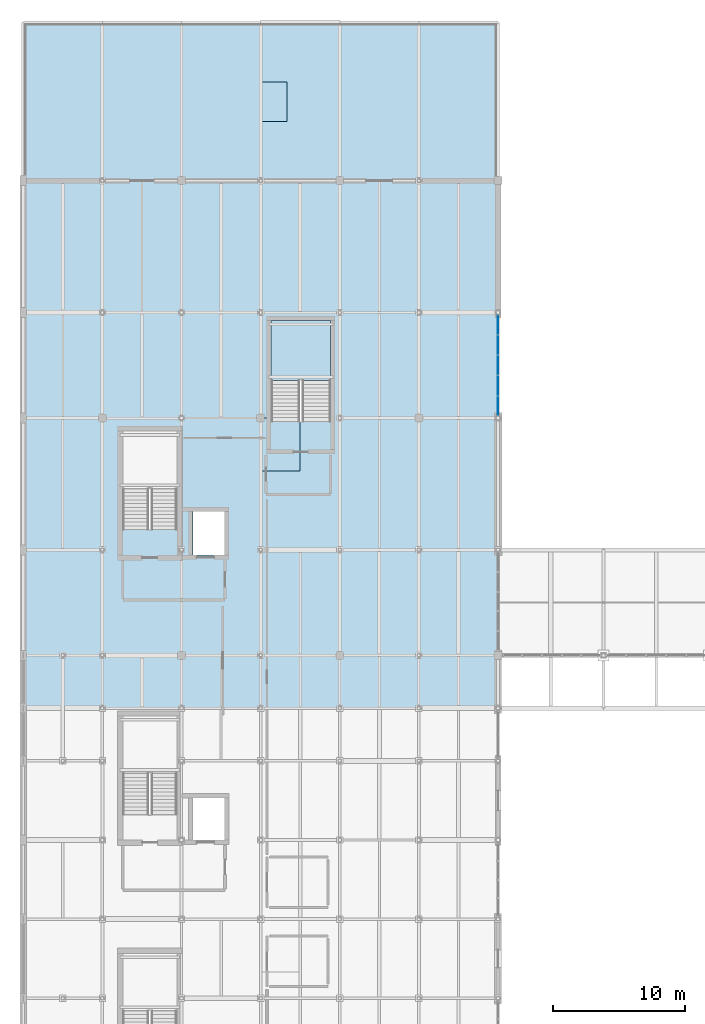
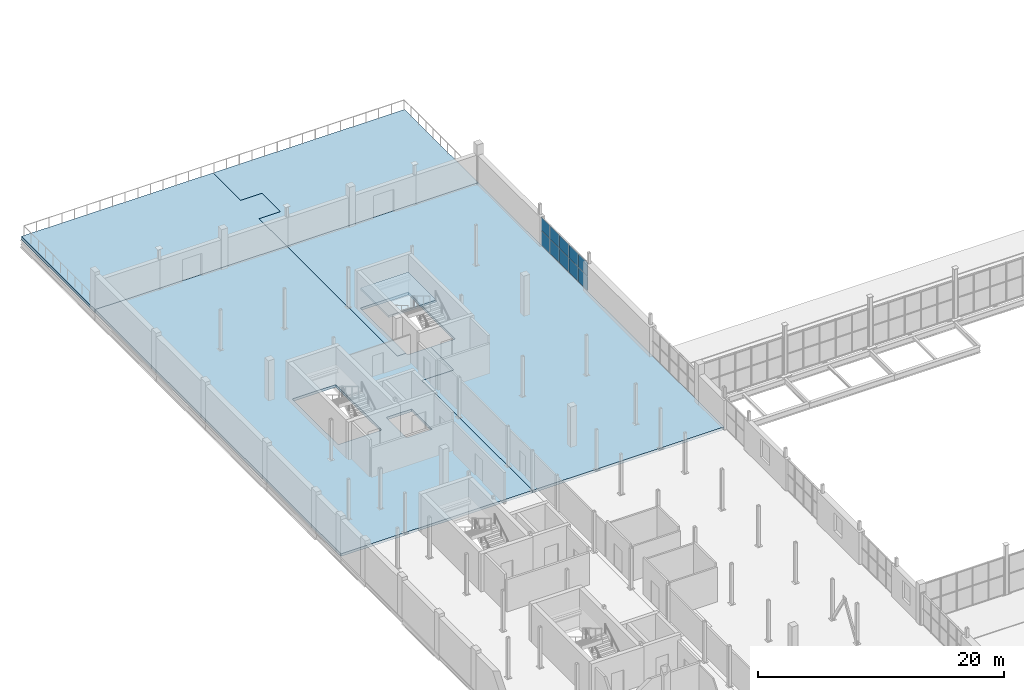
# One storey, part 78 of 96: 10 plates, 5 slabs, 2 elements without a shape of their own.
"""IFC4 building model written with IfcOpenShell, lengths in metres."""

from ifc_helpers import new_model, si_unit, direction, frame, origin, origin_2d, place, context, subcontext, project, spatial, polyline, rectangle, outline, extrude, material, layer, layer_set, type_object, element, aggregate, save


model = new_model("IFC4")

# Units and contexts
model_context = context("Model", 3, precision=1e-05, world=origin(), true_north=direction((0.0, 1.0)))
body_context = subcontext(model_context, "Body", "Model", "MODEL_VIEW")
ifc_project = project(units=[si_unit("LENGTHUNIT", "METRE"), si_unit("AREAUNIT", "SQUARE_METRE"), si_unit("VOLUMEUNIT", "CUBIC_METRE"), si_unit("PLANEANGLEUNIT", "RADIAN"), si_unit("MASSUNIT", "GRAM", prefix="KILO")], contexts=[model_context])

# Site, building, storey
site_placement = place(None, origin())
site = spatial("IfcSite", under=ifc_project, at=site_placement, CompositionType="ELEMENT")
building_placement = place(site_placement, origin())
building = spatial("IfcBuilding", under=site, at=building_placement, Name="Verrall Gate Interchange", CompositionType="ELEMENT")
storey_placement = place(building_placement, frame((0.0, 0.0, 11.39990234375)))
storey = spatial("IfcBuildingStorey", under=building, at=storey_placement, Name="L03", CompositionType="ELEMENT", Elevation=11.39990234375)

# Curtain wall, plates
ifc_material_1 = material(Name="Thermally Broken Anodized Aluminium Curtain Wall Framing", Category="aluminium")
curtain_wall_type = type_object("IfcCurtainWallType", Name="CW-34 Unitized Curtain Wall 7682x2880", PredefinedType="NOTDEFINED", material=ifc_material_1)
curtain_wall_placement = place(storey_placement, origin())
curtain_wall = element("IfcCurtainWall", 1, at=curtain_wall_placement, inside=storey, type_object=curtain_wall_type, Name="L03 Unitized Curtain Wall CW-L03-108", PredefinedType="NOTDEFINED")
ifc_material_2 = material(Name="Triple-Glazed Low-E Argon Insulated Curtain Panel (U=1.45)", Category="glass")
ifc_layer_1 = layer(ifc_material_2, 0.030029296875)
ifc_layer_set_1 = layer_set([ifc_layer_1], Name="Triple-Glazed Low-E Argon Insulated Curtain Panel (U=1.45)")
plate_type = type_object("IfcPlateType", Name="CP-01 Curtain Glazing Panel 30", PredefinedType="CURTAIN_PANEL", material=ifc_layer_set_1)
plate_1_placement = place(storey_placement, frame((36.0, 66.943603515625, 0.0546875), z_axis=(0.0, 0.0, 1.0), x_axis=(0.0, 1.0, 0.0)))
plate_1 = element("IfcPlate", 2, at=plate_1_placement, type_object=plate_type, Name="CW-L03-108 Glazing Panel 1.1", PredefinedType="CURTAIN_PANEL", context=body_context, shape_type="SweptSolid", body=[
    extrude(rectangle(XDim=1.459716796875, YDim=0.030029296875, at=origin_2d()), origin(), (0.0, 0.0, 1.0), 1.4208984375),
])
plate_2_placement = place(storey_placement, frame((36.0, 66.943603515625, 1.519775390625), z_axis=(0.0, 0.0, 1.0), x_axis=(0.0, 1.0, 0.0)))
plate_2 = element("IfcPlate", 3, at=plate_2_placement, type_object=plate_type, Name="CW-L03-108 Glazing Panel 1.2", PredefinedType="CURTAIN_PANEL", context=body_context, shape_type="SweptSolid", body=[
    extrude(rectangle(XDim=1.459716796875, YDim=0.030029296875, at=origin_2d()), origin(), (0.0, 0.0, 1.0), 1.3056640625),
])
plate_3_placement = place(storey_placement, frame((36.0, 68.463623046875, 0.0546875), z_axis=(0.0, 0.0, 1.0), x_axis=(0.0, 1.0, 0.0)))
plate_3 = element("IfcPlate", 4, at=plate_3_placement, type_object=plate_type, Name="CW-L03-108 Glazing Panel 2.1", PredefinedType="CURTAIN_PANEL", context=body_context, shape_type="SweptSolid", body=[
    extrude(rectangle(XDim=1.4921875, YDim=0.030029296875, at=origin_2d()), origin(), (0.0, 0.0, 1.0), 1.4208984375),
])
plate_4_placement = place(storey_placement, frame((36.0, 68.463623046875, 1.519775390625), z_axis=(0.0, 0.0, 1.0), x_axis=(0.0, 1.0, 0.0)))
plate_4 = element("IfcPlate", 5, at=plate_4_placement, type_object=plate_type, Name="CW-L03-108 Glazing Panel 2.2", PredefinedType="CURTAIN_PANEL", context=body_context, shape_type="SweptSolid", body=[
    extrude(rectangle(XDim=1.4921875, YDim=0.030029296875, at=origin_2d()), origin(), (0.0, 0.0, 1.0), 1.3056640625),
])
plate_5_placement = place(storey_placement, frame((36.0, 70.0, 0.0546875), z_axis=(0.0, 0.0, 1.0), x_axis=(0.0, 1.0, 0.0)))
plate_5 = element("IfcPlate", 6, at=plate_5_placement, type_object=plate_type, Name="CW-L03-108 Glazing Panel 3.1", PredefinedType="CURTAIN_PANEL", context=body_context, shape_type="SweptSolid", body=[
    extrude(rectangle(XDim=1.4921875, YDim=0.030029296875, at=origin_2d()), origin(), (0.0, 0.0, 1.0), 1.4208984375),
])
plate_6_placement = place(storey_placement, frame((36.0, 70.0, 1.519775390625), z_axis=(0.0, 0.0, 1.0), x_axis=(0.0, 1.0, 0.0)))
plate_6 = element("IfcPlate", 7, at=plate_6_placement, type_object=plate_type, Name="CW-L03-108 Glazing Panel 3.2", PredefinedType="CURTAIN_PANEL", context=body_context, shape_type="SweptSolid", body=[
    extrude(rectangle(XDim=1.4921875, YDim=0.030029296875, at=origin_2d()), origin(), (0.0, 0.0, 1.0), 1.3056640625),
])
plate_7_placement = place(storey_placement, frame((36.0, 71.536376953125, 0.0546875), z_axis=(0.0, 0.0, 1.0), x_axis=(0.0, 1.0, 0.0)))
plate_7 = element("IfcPlate", 8, at=plate_7_placement, type_object=plate_type, Name="CW-L03-108 Glazing Panel 4.1", PredefinedType="CURTAIN_PANEL", context=body_context, shape_type="SweptSolid", body=[
    extrude(rectangle(XDim=1.4921875, YDim=0.030029296875, at=origin_2d()), origin(), (0.0, 0.0, 1.0), 1.4208984375),
])
plate_8_placement = place(storey_placement, frame((36.0, 71.536376953125, 1.519775390625), z_axis=(0.0, 0.0, 1.0), x_axis=(0.0, 1.0, 0.0)))
plate_8 = element("IfcPlate", 9, at=plate_8_placement, type_object=plate_type, Name="CW-L03-108 Glazing Panel 4.2", PredefinedType="CURTAIN_PANEL", context=body_context, shape_type="SweptSolid", body=[
    extrude(rectangle(XDim=1.4921875, YDim=0.030029296875, at=origin_2d()), origin(), (0.0, 0.0, 1.0), 1.3056640625),
])
plate_9_placement = place(storey_placement, frame((36.0, 73.056640625, 0.0546875), z_axis=(0.0, 0.0, 1.0), x_axis=(0.0, 1.0, 0.0)))
plate_9 = element("IfcPlate", 10, at=plate_9_placement, type_object=plate_type, Name="CW-L03-108 Glazing Panel 5.1", PredefinedType="CURTAIN_PANEL", context=body_context, shape_type="SweptSolid", body=[
    extrude(rectangle(XDim=1.459716796875, YDim=0.030029296875, at=origin_2d()), origin(), (0.0, 0.0, 1.0), 1.4208984375),
])
plate_10_placement = place(storey_placement, frame((36.0, 73.056640625, 1.519775390625), z_axis=(0.0, 0.0, 1.0), x_axis=(0.0, 1.0, 0.0)))
plate_10 = element("IfcPlate", 11, at=plate_10_placement, type_object=plate_type, Name="CW-L03-108 Glazing Panel 5.2", PredefinedType="CURTAIN_PANEL", context=body_context, shape_type="SweptSolid", body=[
    extrude(rectangle(XDim=1.459716796875, YDim=0.030029296875, at=origin_2d()), origin(), (0.0, 0.0, 1.0), 1.3056640625),
])
aggregate(curtain_wall, [plate_1, plate_2, plate_3, plate_4, plate_5, plate_6, plate_7, plate_8, plate_9, plate_10])

# Slabs
ifc_material_3 = material(Name="Concrete CSA A23.1 40 MPa (Class C-1)", Category="concrete")
ifc_layer_2 = layer(ifc_material_3, 0.320068359375)
ifc_layer_set_2 = layer_set([ifc_layer_2], Name="Concrete CSA A23.1 40 MPa (Class C-1)")
slab_type_1 = type_object("IfcSlabType", Name="FS-06 Floor Slab 320", PredefinedType="FLOOR", material=ifc_layer_set_2)
slab_1_placement = place(storey_placement, frame((0.0, 0.0, -0.31982421875)))
element("IfcSlab", 12, at=slab_1_placement, inside=storey, type_object=slab_type_1, Name="L03 Structural Slab SLB-L03-RG1A", PredefinedType="FLOOR", context=body_context, shape_type="SweptSolid", body=[
    extrude(outline(polyline([(0.0, 96.0), (18.0, 96.0), (18.0, 91.5), (20.0, 91.5), (20.0, 88.5), (18.0, 88.5), (18.0, 84.0), (0.0, 84.0), (0.0, 96.0)])), origin(), (0.0, 0.0, 1.0), 0.31982421875),
])
slab_2_placement = place(storey_placement, frame((0.0, 0.0, -0.31982421875)))
element("IfcSlab", 13, at=slab_2_placement, inside=storey, type_object=slab_type_1, Name="L03 Structural Slab SLB-L03-RG1B", PredefinedType="FLOOR", context=body_context, shape_type="SweptSolid", body=[
    extrude(outline(polyline([(36.0, 84.0), (18.0, 84.0), (18.0, 88.5), (20.0, 88.5), (20.0, 91.5), (18.0, 91.5), (18.0, 96.0), (36.0, 96.0), (36.0, 84.0)])), origin(), (0.0, 0.0, 1.0), 0.31982421875),
])
ifc_material_4 = material(Name="Concrete CSA A23.1 40 MPa (Class N)", Category="concrete")
ifc_layer_3 = layer(ifc_material_4, 0.260009765625)
ifc_layer_set_3 = layer_set([ifc_layer_3], Name="Concrete CSA A23.1 40 MPa (Class N)")
slab_type_2 = type_object("IfcSlabType", Name="FS-09 Floor Slab 260", PredefinedType="FLOOR", material=ifc_layer_set_3)
slab_3_placement = place(storey_placement, frame((0.0, 0.0, -0.260009765625)))
element("IfcSlab", 14, at=slab_3_placement, inside=storey, type_object=slab_type_2, Name="L03 Structural Slab SLB-L03-03", PredefinedType="FLOOR", context=body_context, shape_type="SweptSolid", body=[
    extrude(outline(polyline([(0.0, 84.0), (18.0, 84.0), (18.0, 66.0), (18.800048828125, 66.0), (18.800048828125, 65.75), (21.0, 65.75), (21.0, 62.0), (18.0, 62.0), (18.0, 44.0), (0.0, 44.0), (0.0, 84.0)]), holes=[polyline([(12.85009765625, 58.89990234375), (12.85009765625, 55.60009765625), (15.25, 55.60009765625), (15.25, 58.89990234375), (12.85009765625, 58.89990234375)]), polyline([(7.550048828125, 57.550048828125), (11.64990234375, 57.550048828125), (11.64990234375, 65.0), (7.550048828125, 65.0), (7.550048828125, 57.550048828125)])]), origin(), (0.0, 0.0, 1.0), 0.260009765625),
])
slab_4_placement = place(storey_placement, frame((0.0, 0.0, -0.260009765625)))
element("IfcSlab", 15, at=slab_4_placement, inside=storey, type_object=slab_type_2, Name="L03 Structural Slab SLB-L03-04", PredefinedType="FLOOR", context=body_context, shape_type="SweptSolid", body=[
    extrude(outline(polyline([(36.0, 44.0), (18.0, 44.0), (18.0, 62.0), (21.0, 62.0), (21.0, 65.75), (23.300048828125, 65.75), (23.300048828125, 73.39990234375), (18.800048828125, 73.39990234375), (18.800048828125, 66.0), (18.0, 66.0), (18.0, 84.0), (36.0, 84.0), (36.0, 44.0)])), origin(), (0.0, 0.0, 1.0), 0.260009765625),
])

# Stair, slab
ifc_material_5 = material(Name="Concrete CSA A23.1 40 MPa (Class N)", Category="concrete")
stair_type = type_object("IfcStairType", Name="ST-T10 Straight-Flight Return Exit Stair W2150 H4000", PredefinedType="STRAIGHT_RUN_STAIR", material=ifc_material_5)
stair_placement = place(storey_placement, origin())
stair = element("IfcStair", 16, at=stair_placement, inside=storey, type_object=stair_type, Name="L03 ST-04", PredefinedType="STRAIGHT_RUN_STAIR")
ifc_material_6 = material(Name="Concrete CSA A23.1 40 MPa (Class N)", Category="concrete")
ifc_layer_4 = layer(ifc_material_6, 0.18994140625)
ifc_layer_set_4 = layer_set([ifc_layer_4], Name="Concrete CSA A23.1 40 MPa (Class N)")
slab_type_3 = type_object("IfcSlabType", Name="LS-01 Stair Landing Slab 190", PredefinedType="LANDING", material=ifc_layer_set_4)
slab_5_placement = place(storey_placement, frame((0.0, 0.0, 1.800048828125)))
slab_5 = element("IfcSlab", 17, at=slab_5_placement, type_object=slab_type_3, Name="ST-04 landing 1", PredefinedType="LANDING", context=body_context, shape_type="SweptSolid", body=[
    extrude(outline(polyline([(23.300048828125, 68.830078125), (23.300048828125, 73.39990234375), (18.800048828125, 73.39990234375), (18.800048828125, 68.830078125), (23.300048828125, 68.830078125)])), origin(), (0.0, 0.0, 1.0), 0.199951171875),
])
aggregate(stair, [slab_5])

save(model, "model.ifc")
